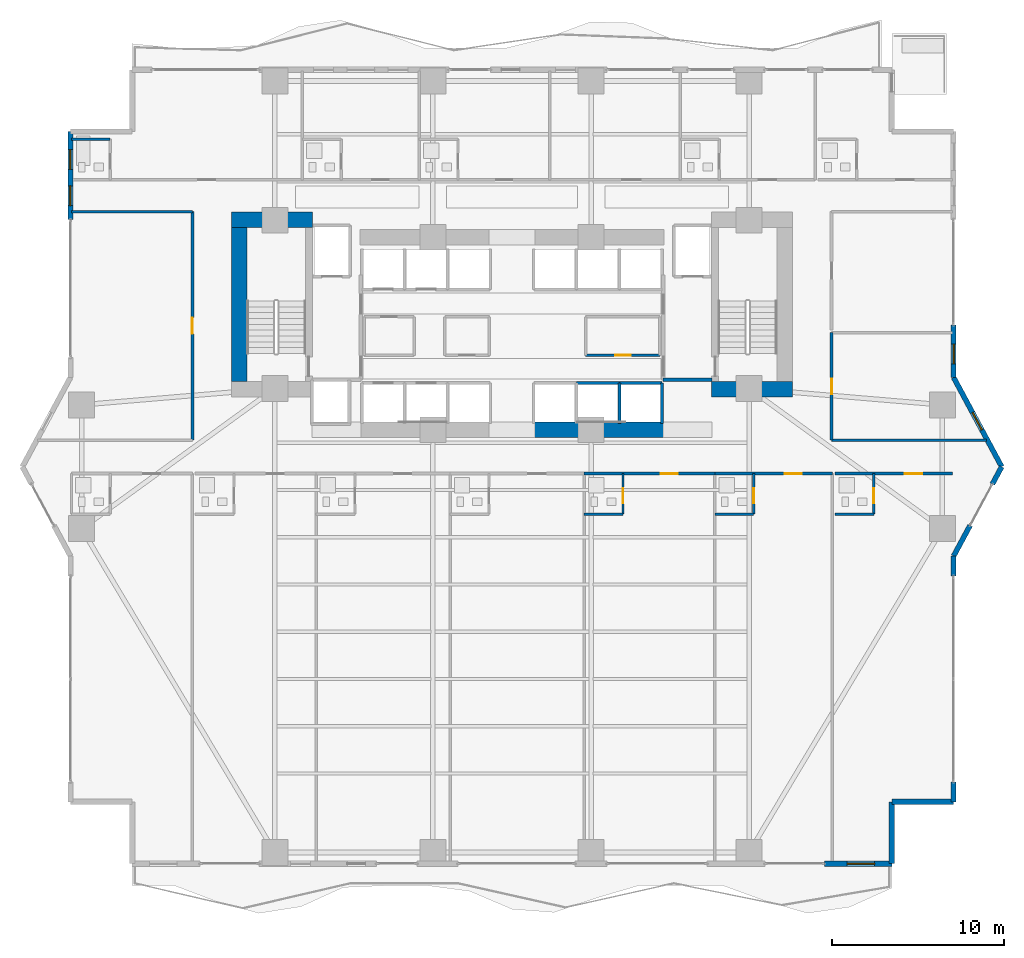
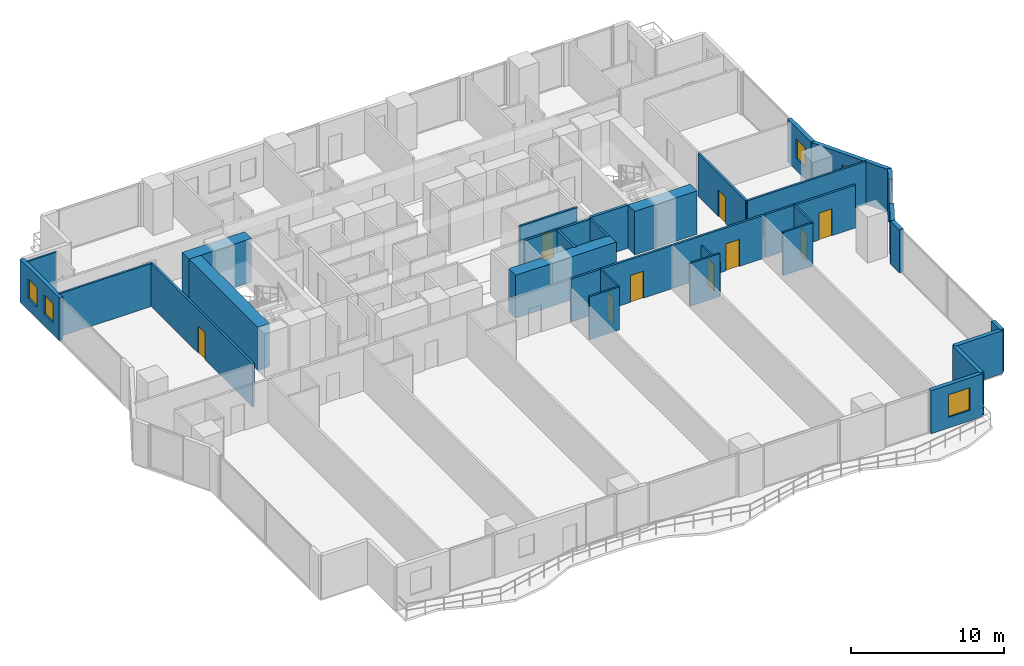
# One storey, part 20 of 28: 34 walls, 9 doors, 5 windows, 14 openings.
"""IFC4 building model written with IfcOpenShell, lengths in metres."""

from ifc_helpers import new_model, si_unit, direction, frame, frame_2d, origin, place, context, subcontext, project, spatial, rectangle, extrude, material, layer, layer_set, type_object, element, fill, save


model = new_model("IFC4")

# Units and contexts
model_context = context("Model", 3, precision=1e-05, world=origin(), true_north=direction((0.0, 1.0)))
body_context = subcontext(model_context, "Body", "Model", "MODEL_VIEW")
ifc_project = project(units=[si_unit("LENGTHUNIT", "METRE"), si_unit("AREAUNIT", "SQUARE_METRE"), si_unit("VOLUMEUNIT", "CUBIC_METRE"), si_unit("PLANEANGLEUNIT", "RADIAN"), si_unit("MASSUNIT", "GRAM", prefix="KILO")], contexts=[model_context])

# Site, building, storey
site_placement = place(None, origin())
site = spatial("IfcSite", under=ifc_project, at=site_placement, CompositionType="ELEMENT")
building_placement = place(site_placement, origin())
building = spatial("IfcBuilding", under=site, at=building_placement, Name="Zuhayl Quay Hotel", CompositionType="ELEMENT")
storey_placement = place(building_placement, frame((0.0, 0.0, 56.800048828125)))
storey = spatial("IfcBuildingStorey", under=building, at=storey_placement, Name="L13", CompositionType="ELEMENT", Elevation=56.800048828125)

# Walls
ifc_material_1 = material(Name="Concrete C70/85", Category="concrete")
ifc_layer_1 = layer(ifc_material_1, 0.89990234375, Name="Concrete C70/85", Category="concrete")
ifc_layer_set_1 = layer_set([ifc_layer_1], Name="Concrete C70/85")
wall_type_1 = type_object("IfcWallType", Name="WL_CORE_900", PredefinedType="SHEAR", material=ifc_layer_set_1)
wall_1_placement = place(storey_placement, frame((-16.31005859375, 14.3798828125, 0.0), z_axis=(0.0, 0.0, 1.0), x_axis=(1.0, 0.0, 0.0)))
element("IfcWall", 1, at=wall_1_placement, inside=storey, type_object=wall_type_1, Name="L13 Core Shear Wall CW_NW", PredefinedType="SHEAR", context=body_context, shape_type="SweptSolid", body=[
    extrude(rectangle(XDim=4.7099609375, YDim=0.89990234375, at=frame_2d((2.35498046875, 0.0))), origin(), (0.0, 0.0, 1.0), 3.4599609375),
])
wall_2_placement = place(storey_placement, frame((-15.860107421875, 4.969970703125, 0.0), z_axis=(0.0, 0.0, 1.0), x_axis=(0.0, 1.0, 0.0)))
element("IfcWall", 2, at=wall_2_placement, inside=storey, type_object=wall_type_1, Name="L13 Core Shear Wall CW_W", PredefinedType="SHEAR", context=body_context, shape_type="SweptSolid", body=[
    extrude(rectangle(XDim=8.9599609375, YDim=0.89990234375, at=frame_2d((4.47998046875, 0.0))), origin(), (0.0, 0.0, 1.0), 3.4599609375),
])
wall_3_placement = place(storey_placement, frame((11.60009765625, 4.52001953125, 0.0), z_axis=(0.0, 0.0, 1.0), x_axis=(1.0, 0.0, 0.0)))
element("IfcWall", 3, at=wall_3_placement, inside=storey, type_object=wall_type_1, Name="L13 Core Shear Wall CW_SE", PredefinedType="SHEAR", context=body_context, shape_type="SweptSolid", body=[
    extrude(rectangle(XDim=4.7099609375, YDim=0.89990234375, at=frame_2d((2.35498046875, 0.0))), origin(), (0.0, 0.0, 1.0), 3.4599609375),
])
wall_4_placement = place(storey_placement, frame((1.25, 2.14990234375, 0.0), z_axis=(0.0, 0.0, 1.0), x_axis=(1.0, 0.0, 0.0)))
element("IfcWall", 4, at=wall_4_placement, inside=storey, type_object=wall_type_1, Name="L13 Core Shear Wall CW_SC_E", PredefinedType="SHEAR", context=body_context, shape_type="SweptSolid", body=[
    extrude(rectangle(XDim=7.60009765625, YDim=0.89990234375, at=frame_2d((3.800048828125, 0.0))), origin(), (0.0, 0.0, 1.0), 3.429931640625),
])

# Wall, openings, windows
ifc_material_2 = material(Name="Precast concrete C45/55", Category="concrete")
ifc_layer_2 = layer(ifc_material_2, 0.300048828125, Name="Precast concrete C45/55", Category="concrete")
ifc_layer_set_2 = layer_set([ifc_layer_2], Name="Precast concrete C45/55")
wall_type_2 = type_object("IfcWallType", Name="WL_EXT_300", PredefinedType="STANDARD", material=ifc_layer_set_2)
wall_5_placement = place(storey_placement, frame((-25.699951171875, 14.39990234375, 0.0), z_axis=(0.0, 0.0, 1.0), x_axis=(0.0, 1.0, 0.0)))
wall_5 = element("IfcWall", 5, at=wall_5_placement, inside=storey, type_object=wall_type_2, Name="L13 Exterior Precast Wall ENV_L13_E05_EW2", PredefinedType="STANDARD", context=body_context, shape_type="SweptSolid", body=[
    extrude(rectangle(XDim=5.10009765625, YDim=0.300048828125, at=frame_2d((2.550048828125, 0.0))), origin(), (0.0, 0.0, 1.0), 3.429931640625),
])
opening_1_placement = place(wall_5_placement, frame((0.800048828125, 0.0, 0.949951171875)))
opening_1 = element("IfcOpeningElement", 6, at=opening_1_placement, cuts=wall_5, Name="Opening W01N", PredefinedType="OPENING", context=body_context, shape_type="SweptSolid", body=[
    extrude(rectangle(XDim=1.14990234375, YDim=1.550048828125, at=frame_2d((0.574951171875, 0.77490234375))), frame((0.0, 0.159912109375, 0.0), z_axis=(0.0, -1.0, 0.0), x_axis=(1.0, 0.0, 0.0)), (0.0, 0.0, 1.0), 0.320068359375),
])
opening_2_placement = place(wall_5_placement, frame((2.905029296875, 0.0, 0.949951171875)))
opening_2 = element("IfcOpeningElement", 7, at=opening_2_placement, cuts=wall_5, Name="Opening W01N", PredefinedType="OPENING", context=body_context, shape_type="SweptSolid", body=[
    extrude(rectangle(XDim=1.14990234375, YDim=1.550048828125, at=frame_2d((0.574951171875, 0.77490234375))), frame((0.0, 0.159912109375, 0.0), z_axis=(0.0, -1.0, 0.0), x_axis=(1.0, 0.0, 0.0)), (0.0, 0.0, 1.0), 0.320068359375),
])
ifc_material_3 = material(Name="Dark Ceramic-Fritted Solar Glass", Category="glass")
window_type_1 = type_object("IfcWindowType", Name="WN_NOTCH_1350", PartitioningType="SINGLE_PANEL", PredefinedType="WINDOW", material=ifc_material_3)
window_1_placement = place(opening_1_placement, origin())
window_1 = element("IfcWindow", 8, at=window_1_placement, inside=storey, type_object=window_type_1, Name="L13 Operable Facade Window 2-1", OverallHeight=1.550048828125, OverallWidth=1.14990234375, PartitioningType="SINGLE_PANEL", PredefinedType="WINDOW", context=body_context, shape_type="SweptSolid", body=[
    extrude(rectangle(XDim=1.14990234375, YDim=1.550048828125, at=frame_2d((0.574951171875, 0.77490234375))), frame((0.0, 0.030029296875, 0.0), z_axis=(0.0, -1.0, 0.0), x_axis=(1.0, 0.0, 0.0)), (0.0, 0.0, 1.0), 0.06005859375),
])
fill(opening_1, window_1)
window_2_placement = place(opening_2_placement, origin())
window_2 = element("IfcWindow", 9, at=window_2_placement, inside=storey, type_object=window_type_1, Name="L13 Operable Facade Window 2-2", OverallHeight=1.550048828125, OverallWidth=1.14990234375, PartitioningType="SINGLE_PANEL", PredefinedType="WINDOW", context=body_context, shape_type="SweptSolid", body=[
    extrude(rectangle(XDim=1.14990234375, YDim=1.550048828125, at=frame_2d((0.574951171875, 0.77490234375))), frame((0.0, 0.030029296875, 0.0), z_axis=(0.0, -1.0, 0.0), x_axis=(1.0, 0.0, 0.0)), (0.0, 0.0, 1.0), 0.06005859375),
])
fill(opening_2, window_2)

# Wall, opening, window
wall_6_placement = place(storey_placement, frame((25.699951171875, 8.25, 0.0), z_axis=(0.0, 0.0, 1.0), x_axis=(0.0, -1.0, 0.0)))
wall_6 = element("IfcWall", 10, at=wall_6_placement, inside=storey, type_object=wall_type_2, Name="L13 Exterior Precast Wall ENV_L13_E11_EW2", PredefinedType="STANDARD", context=body_context, shape_type="SweptSolid", body=[
    extrude(rectangle(XDim=3.050048828125, YDim=0.300048828125, at=frame_2d((1.52490234375, 0.0))), origin(), (0.0, 0.0, 1.0), 3.429931640625),
])
opening_3_placement = place(wall_6_placement, frame((1.114990234375, 0.0, 0.949951171875)))
opening_3 = element("IfcOpeningElement", 11, at=opening_3_placement, cuts=wall_6, Name="Opening W01N", PredefinedType="OPENING", context=body_context, shape_type="SweptSolid", body=[
    extrude(rectangle(XDim=1.14990234375, YDim=1.550048828125, at=frame_2d((0.574951171875, 0.77490234375))), frame((0.0, 0.159912109375, 0.0), z_axis=(0.0, -1.0, 0.0), x_axis=(1.0, 0.0, 0.0)), (0.0, 0.0, 1.0), 0.320068359375),
])
window_3_placement = place(opening_3_placement, origin())
window_3 = element("IfcWindow", 12, at=window_3_placement, inside=storey, type_object=window_type_1, Name="L13 Operable Facade Window 2-1", OverallHeight=1.550048828125, OverallWidth=1.14990234375, PartitioningType="SINGLE_PANEL", PredefinedType="WINDOW", context=body_context, shape_type="SweptSolid", body=[
    extrude(rectangle(XDim=1.14990234375, YDim=1.550048828125, at=frame_2d((0.574951171875, 0.77490234375))), frame((0.0, 0.030029296875, 0.0), z_axis=(0.0, -1.0, 0.0), x_axis=(1.0, 0.0, 0.0)), (0.0, 0.0, 1.0), 0.06005859375),
])
fill(opening_3, window_3)

wall_7_placement = place(storey_placement, frame((25.699951171875, 5.199951171875, 0.0), z_axis=(0.0, 0.0, 1.0), x_axis=(0.474109683532, -0.880465790352, 0.0)))
wall_7 = element("IfcWall", 13, at=wall_7_placement, inside=storey, type_object=wall_type_2, Name="L13 Exterior Precast Wall ENV_L13_E12_EW1", PredefinedType="STANDARD", context=body_context, shape_type="SweptSolid", body=[
    extrude(rectangle(XDim=5.906005859375, YDim=0.300048828125, at=frame_2d((2.953125, 0.0))), origin(), (0.0, 0.0, 1.0), 3.429931640625),
])
opening_4_placement = place(wall_7_placement, frame((2.32373046875, 0.0, 0.949951171875)))
opening_4 = element("IfcOpeningElement", 14, at=opening_4_placement, cuts=wall_7, Name="Opening W01N", PredefinedType="OPENING", context=body_context, shape_type="SweptSolid", body=[
    extrude(rectangle(XDim=1.14990234375, YDim=1.550048828125, at=frame_2d((0.574951171875, 0.77490234375))), frame((0.0, 0.159912109375, 0.0), z_axis=(0.0, -1.0, 0.0), x_axis=(1.0, 0.0, 0.0)), (0.0, 0.0, 1.0), 0.320068359375),
])
window_4_placement = place(opening_4_placement, origin())
window_4 = element("IfcWindow", 15, at=window_4_placement, inside=storey, type_object=window_type_1, Name="L13 Operable Facade Window 1-1", OverallHeight=1.550048828125, OverallWidth=1.14990234375, PartitioningType="SINGLE_PANEL", PredefinedType="WINDOW", context=body_context, shape_type="SweptSolid", body=[
    extrude(rectangle(XDim=1.14990234375, YDim=1.550048828125, at=frame_2d((0.574951171875, 0.77490234375))), frame((0.0, 0.030029296875, 0.0), z_axis=(0.0, -1.0, 0.0), x_axis=(1.0, 0.0, 0.0)), (0.0, 0.0, 1.0), 0.06005859375),
])
fill(opening_4, window_4)

# Walls
wall_8_placement = place(storey_placement, frame((28.5, 0.0, 0.0), z_axis=(0.0, 0.0, 1.0), x_axis=(-0.474099823035, -0.880471099922, 0.0)))
element("IfcWall", 16, at=wall_8_placement, inside=storey, type_object=wall_type_2, Name="L13 Exterior Precast Wall ENV_L13_E13_EW1", PredefinedType="STANDARD", context=body_context, shape_type="SweptSolid", body=[
    extrude(rectangle(XDim=1.14990234375, YDim=0.300048828125, at=frame_2d((0.574951171875, 0.0))), origin(), (0.0, 0.0, 1.0), 3.429931640625),
])
wall_9_placement = place(storey_placement, frame((26.657958984375, -3.4208984375, 0.0), z_axis=(0.0, 0.0, 1.0), x_axis=(-0.474121438562, -0.88045946045, 0.0)))
element("IfcWall", 17, at=wall_9_placement, inside=storey, type_object=wall_type_2, Name="L13 Exterior Precast Wall ENV_L13_E13_EW2", PredefinedType="STANDARD", context=body_context, shape_type="SweptSolid", body=[
    extrude(rectangle(XDim=2.0205078125, YDim=0.300048828125, at=frame_2d((1.01025390625, 0.0))), origin(), (0.0, 0.0, 1.0), 3.429931640625),
])
wall_10_placement = place(storey_placement, frame((25.699951171875, -5.199951171875, 0.0), z_axis=(0.0, 0.0, 1.0), x_axis=(0.0, -1.0, 0.0)))
element("IfcWall", 18, at=wall_10_placement, inside=storey, type_object=wall_type_2, Name="L13 Exterior Precast Wall ENV_L13_E14_EW1", PredefinedType="STANDARD", context=body_context, shape_type="SweptSolid", body=[
    extrude(rectangle(XDim=1.150146484375, YDim=0.300048828125, at=frame_2d((0.5751953125, 0.0))), origin(), (0.0, 0.0, 1.0), 3.429931640625),
])
wall_11_placement = place(storey_placement, frame((25.699951171875, -18.35009765625, 0.0), z_axis=(0.0, 0.0, 1.0), x_axis=(0.0, -1.0, 0.0)))
element("IfcWall", 19, at=wall_11_placement, inside=storey, type_object=wall_type_2, Name="L13 Exterior Precast Wall ENV_L13_E14_EW2", PredefinedType="STANDARD", context=body_context, shape_type="SweptSolid", body=[
    extrude(rectangle(XDim=1.14990234375, YDim=0.300048828125, at=frame_2d((0.574951171875, 0.0))), origin(), (0.0, 0.0, 1.0), 3.429931640625),
])
wall_12_placement = place(storey_placement, frame((25.699951171875, -19.5, 0.0), z_axis=(0.0, 0.0, 1.0), x_axis=(-1.0, 0.0, 0.0)))
element("IfcWall", 20, at=wall_12_placement, inside=storey, type_object=wall_type_2, Name="L13 Exterior Precast Wall ENV_L13_EW15", PredefinedType="STANDARD", context=body_context, shape_type="SweptSolid", body=[
    extrude(rectangle(XDim=3.599853515625, YDim=0.300048828125, at=frame_2d((1.7998046875, 0.0))), origin(), (0.0, 0.0, 1.0), 3.429931640625),
])
wall_13_placement = place(storey_placement, frame((22.10009765625, -19.5, 0.0), z_axis=(0.0, 0.0, 1.0), x_axis=(0.0, -1.0, 0.0)))
element("IfcWall", 21, at=wall_13_placement, inside=storey, type_object=wall_type_2, Name="L13 Exterior Precast Wall ENV_L13_EW16", PredefinedType="STANDARD", context=body_context, shape_type="SweptSolid", body=[
    extrude(rectangle(XDim=3.60009765625, YDim=0.300048828125, at=frame_2d((1.800048828125, 0.0))), origin(), (0.0, 0.0, 1.0), 3.429931640625),
])

# Wall, opening, window
wall_14_placement = place(storey_placement, frame((22.10009765625, -23.10009765625, 0.0), z_axis=(0.0, 0.0, 1.0), x_axis=(-1.0, 0.0, 0.0)))
wall_14 = element("IfcWall", 22, at=wall_14_placement, inside=storey, type_object=wall_type_2, Name="L13 Exterior Precast Wall ENV_L13_S_EW1", PredefinedType="STANDARD", context=body_context, shape_type="SweptSolid", body=[
    extrude(rectangle(XDim=3.91015625, YDim=0.300048828125, at=frame_2d((1.955078125, 0.0))), origin(), (0.0, 0.0, 1.0), 3.429931640625),
])
opening_5_placement = place(wall_14_placement, frame((0.989990234375, 0.0, 0.85009765625)))
opening_5 = element("IfcOpeningElement", 23, at=opening_5_placement, cuts=wall_14, Name="Opening W01", PredefinedType="OPENING", context=body_context, shape_type="SweptSolid", body=[
    extrude(rectangle(XDim=1.60009765625, YDim=1.800048828125, at=frame_2d((0.800048828125, 0.89990234375))), frame((0.0, 0.159912109375, 0.0), z_axis=(0.0, -1.0, 0.0), x_axis=(1.0, 0.0, 0.0)), (0.0, 0.0, 1.0), 0.320068359375),
])
window_type_2 = type_object("IfcWindowType", Name="WN_OPERABLE_1600", PartitioningType="DOUBLE_PANEL_VERTICAL", PredefinedType="WINDOW", material=ifc_material_3)
window_5_placement = place(opening_5_placement, origin())
window_5 = element("IfcWindow", 24, at=window_5_placement, inside=storey, type_object=window_type_2, Name="L13 Operable Facade Window 1-1", OverallHeight=1.800048828125, OverallWidth=1.60009765625, PartitioningType="SINGLE_PANEL", PredefinedType="WINDOW", context=body_context, shape_type="SweptSolid", body=[
    extrude(rectangle(XDim=1.60009765625, YDim=1.800048828125, at=frame_2d((0.800048828125, 0.89990234375))), frame((0.0, 0.030029296875, 0.0), z_axis=(0.0, -1.0, 0.0), x_axis=(1.0, 0.0, 0.0)), (0.0, 0.0, 1.0), 0.06005859375),
])
fill(opening_5, window_5)

# Wall, opening, door
ifc_material_4 = material(Name="Acoustic Gypsum Partition STC-58")
ifc_layer_3 = layer(ifc_material_4, 0.14990234375, Name="Acoustic Gypsum Partition STC-58")
ifc_layer_set_3 = layer_set([ifc_layer_3], Name="Acoustic Gypsum Partition STC-58")
wall_type_3 = type_object("IfcWallType", Name="WL_PART_150", PredefinedType="PARTITIONING", material=ifc_layer_set_3)
wall_15_placement = place(storey_placement, frame((4.2900390625, 6.47998046875, 0.0), z_axis=(0.0, 0.0, 1.0), x_axis=(1.0, 0.0, 0.0)))
wall_15 = element("IfcWall", 25, at=wall_15_placement, inside=storey, type_object=wall_type_3, Name="L13 Partition IW_L13_CORE_VL_S", PredefinedType="PARTITIONING", context=body_context, shape_type="SweptSolid", body=[
    extrude(rectangle(XDim=4.320068359375, YDim=0.14990234375, at=frame_2d((2.16015625, 0.0))), origin(), (0.0, 0.0, 1.0), 3.429931640625),
])
opening_6_placement = place(wall_15_placement, frame((1.7099609375, 0.0, 0.0)))
opening_6 = element("IfcOpeningElement", 26, at=opening_6_placement, cuts=wall_15, Name="Opening D06", PredefinedType="OPENING", context=body_context, shape_type="SweptSolid", body=[
    extrude(rectangle(XDim=0.89990234375, YDim=2.14990234375, at=frame_2d((0.449951171875, 1.074951171875))), frame((0.0, 0.0849609375, 0.0), z_axis=(0.0, -1.0, 0.0), x_axis=(1.0, 0.0, 0.0)), (0.0, 0.0, 1.0), 0.169921875),
])
ifc_material_5 = material(Name="Steel ASTM A992 Grade 50", Category="steel")
door_type_1 = type_object("IfcDoorType", Name="DR_INT_900", OperationType="NOTDEFINED", PredefinedType="DOOR", material=ifc_material_5)
door_1_placement = place(opening_6_placement, origin())
door_1 = element("IfcDoor", 27, at=door_1_placement, inside=storey, type_object=door_type_1, Name="L13 Floor Valet Store Door", OperationType="SINGLE_SWING_LEFT", OverallHeight=2.14990234375, OverallWidth=0.89990234375, PredefinedType="DOOR", context=body_context, shape_type="SweptSolid", body=[
    extrude(rectangle(XDim=0.89990234375, YDim=2.14990234375, at=frame_2d((0.449951171875, 1.074951171875))), frame((0.0, 0.02490234375, 0.0), z_axis=(0.0, -1.0, 0.0), x_axis=(1.0, 0.0, 0.0)), (0.0, 0.0, 1.0), 0.050048828125),
])
fill(opening_6, door_1)

# Walls
wall_16_placement = place(storey_placement, frame((18.60009765625, 1.550048828125, 0.0), z_axis=(0.0, 0.0, 1.0), x_axis=(1.0, 0.0, 0.0)))
element("IfcWall", 28, at=wall_16_placement, inside=storey, type_object=wall_type_3, Name="L13 Partition IW_L13_HK_MAIN_S", PredefinedType="PARTITIONING", context=body_context, shape_type="SweptSolid", body=[
    extrude(rectangle(XDim=9.00537109375, YDim=0.14990234375, at=frame_2d((4.502685546875, 0.0))), origin(), (0.0, 0.0, 1.0), 3.429931640625),
])
wall_17_placement = place(storey_placement, frame((-25.639892578125, 14.85009765625, 0.0), z_axis=(0.0, 0.0, 1.0), x_axis=(1.0, 0.0, 0.0)))
element("IfcWall", 29, at=wall_17_placement, inside=storey, type_object=wall_type_3, Name="L13 Partition IW_L13_WPROW_1_N", PredefinedType="PARTITIONING", context=body_context, shape_type="SweptSolid", body=[
    extrude(rectangle(XDim=7.039794921875, YDim=0.14990234375, at=frame_2d((3.52001953125, 0.0))), origin(), (0.0, 0.0, 1.0), 3.429931640625),
])

# Wall, opening, door
ifc_layer_4 = layer(ifc_material_4, 0.159912109375, Name="Acoustic Gypsum Partition STC-58")
ifc_layer_set_4 = layer_set([ifc_layer_4], Name="Acoustic Gypsum Partition STC-58")
wall_type_4 = type_object("IfcWallType", Name="WL_PART_CORR_160", PredefinedType="PARTITIONING", material=ifc_layer_set_4)
wall_18_placement = place(storey_placement, frame((4.199951171875, -0.39990234375, 0.0), z_axis=(0.0, 0.0, 1.0), x_axis=(1.0, 0.0, 0.0)))
wall_18 = element("IfcWall", 30, at=wall_18_placement, inside=storey, type_object=wall_type_4, Name="L13 Partition IW_L13_SU04_COR", PredefinedType="PARTITIONING", context=body_context, shape_type="SweptSolid", body=[
    extrude(rectangle(XDim=7.60009765625, YDim=0.159912109375, at=frame_2d((3.800048828125, 0.0))), origin(), (0.0, 0.0, 1.0), 3.429931640625),
])
opening_7_placement = place(wall_18_placement, frame((4.449951171875, 0.0, 0.0)))
opening_7 = element("IfcOpeningElement", 31, at=opening_7_placement, cuts=wall_18, Name="Opening D03L", PredefinedType="OPENING", context=body_context, shape_type="SweptSolid", body=[
    extrude(rectangle(XDim=1.0, YDim=2.14990234375, at=frame_2d((0.5, 1.074951171875))), frame((0.0, 0.08984375, 0.0), z_axis=(0.0, -1.0, 0.0), x_axis=(1.0, 0.0, 0.0)), (0.0, 0.0, 1.0), 0.179931640625),
])
ifc_material_6 = material(Name="Solid Walnut Acoustic Fire Door")
door_type_2 = type_object("IfcDoorType", Name="DR_SUITE_1000", OperationType="NOTDEFINED", PredefinedType="DOOR", material=ifc_material_6)
door_2_placement = place(opening_7_placement, origin())
door_2 = element("IfcDoor", 32, at=door_2_placement, inside=storey, type_object=door_type_2, Name="L13 City-View Junior Suite L13-04 Entrance Door", OperationType="SINGLE_SWING_RIGHT", OverallHeight=2.14990234375, OverallWidth=1.0, PredefinedType="DOOR", context=body_context, shape_type="SweptSolid", body=[
    extrude(rectangle(XDim=1.0, YDim=2.14990234375, at=frame_2d((0.5, 1.074951171875))), frame((0.0, 0.02490234375, 0.0), z_axis=(0.0, -1.0, 0.0), x_axis=(1.0, 0.0, 0.0)), (0.0, 0.0, 1.0), 0.050048828125),
])
fill(opening_7, door_2)

wall_19_placement = place(storey_placement, frame((11.800048828125, -0.39990234375, 0.0), z_axis=(0.0, 0.0, 1.0), x_axis=(1.0, 0.0, 0.0)))
wall_19 = element("IfcWall", 33, at=wall_19_placement, inside=storey, type_object=wall_type_4, Name="L13 Partition IW_L13_SU05A_COR", PredefinedType="PARTITIONING", context=body_context, shape_type="SweptSolid", body=[
    extrude(rectangle(XDim=6.83984375, YDim=0.159912109375, at=frame_2d((3.419921875, 0.0))), origin(), (0.0, 0.0, 1.0), 3.429931640625),
])
opening_8_placement = place(wall_19_placement, frame((4.070068359375, 0.0, 0.0)))
opening_8 = element("IfcOpeningElement", 34, at=opening_8_placement, cuts=wall_19, Name="Opening D03L", PredefinedType="OPENING", context=body_context, shape_type="SweptSolid", body=[
    extrude(rectangle(XDim=1.0, YDim=2.14990234375, at=frame_2d((0.5, 1.074951171875))), frame((0.0, 0.08984375, 0.0), z_axis=(0.0, -1.0, 0.0), x_axis=(1.0, 0.0, 0.0)), (0.0, 0.0, 1.0), 0.179931640625),
])
door_3_placement = place(opening_8_placement, origin())
door_3 = element("IfcDoor", 35, at=door_3_placement, inside=storey, type_object=door_type_2, Name="L13 Premier Twin Junior Suite L13-05A Entrance Door", OperationType="SINGLE_SWING_RIGHT", OverallHeight=2.14990234375, OverallWidth=1.0, PredefinedType="DOOR", context=body_context, shape_type="SweptSolid", body=[
    extrude(rectangle(XDim=1.0, YDim=2.14990234375, at=frame_2d((0.5, 1.074951171875))), frame((0.0, 0.02490234375, 0.0), z_axis=(0.0, -1.0, 0.0), x_axis=(1.0, 0.0, 0.0)), (0.0, 0.0, 1.0), 0.050048828125),
])
fill(opening_8, door_3)

wall_20_placement = place(storey_placement, frame((18.800048828125, -0.39990234375, 0.0), z_axis=(0.0, 0.0, 1.0), x_axis=(1.0, 0.0, 0.0)))
wall_20 = element("IfcWall", 36, at=wall_20_placement, inside=storey, type_object=wall_type_4, Name="L13 Partition IW_L13_SU05B_COR", PredefinedType="PARTITIONING", context=body_context, shape_type="SweptSolid", body=[
    extrude(rectangle(XDim=6.83984375, YDim=0.159912109375, at=frame_2d((3.419921875, 0.0))), origin(), (0.0, 0.0, 1.0), 3.429931640625),
])
opening_9_placement = place(wall_20_placement, frame((4.070068359375, 0.0, 0.0)))
opening_9 = element("IfcOpeningElement", 37, at=opening_9_placement, cuts=wall_20, Name="Opening D03L", PredefinedType="OPENING", context=body_context, shape_type="SweptSolid", body=[
    extrude(rectangle(XDim=1.0, YDim=2.14990234375, at=frame_2d((0.5, 1.074951171875))), frame((0.0, 0.08984375, 0.0), z_axis=(0.0, -1.0, 0.0), x_axis=(1.0, 0.0, 0.0)), (0.0, 0.0, 1.0), 0.179931640625),
])
door_4_placement = place(opening_9_placement, origin())
door_4 = element("IfcDoor", 38, at=door_4_placement, inside=storey, type_object=door_type_2, Name="L13 Premier Twin Junior Suite L13-05B Entrance Door", OperationType="SINGLE_SWING_RIGHT", OverallHeight=2.14990234375, OverallWidth=1.0, PredefinedType="DOOR", context=body_context, shape_type="SweptSolid", body=[
    extrude(rectangle(XDim=1.0, YDim=2.14990234375, at=frame_2d((0.5, 1.074951171875))), frame((0.0, 0.02490234375, 0.0), z_axis=(0.0, -1.0, 0.0), x_axis=(1.0, 0.0, 0.0)), (0.0, 0.0, 1.0), 0.050048828125),
])
fill(opening_9, door_4)

wall_21_placement = place(storey_placement, frame((18.60009765625, 1.550048828125, 0.0), z_axis=(0.0, 0.0, 1.0), x_axis=(0.0, 1.0, 0.0)))
wall_21 = element("IfcWall", 39, at=wall_21_placement, inside=storey, type_object=wall_type_4, Name="L13 Partition IW_L13_HK_MAIN_W", PredefinedType="PARTITIONING", context=body_context, shape_type="SweptSolid", body=[
    extrude(rectangle(XDim=6.25, YDim=0.159912109375, at=frame_2d((3.125, 0.0))), origin(), (0.0, 0.0, 1.0), 3.429931640625),
])
opening_10_placement = place(wall_21_placement, frame((2.6650390625, 0.0, 0.0)))
opening_10 = element("IfcOpeningElement", 40, at=opening_10_placement, cuts=wall_21, Name="Opening D05", PredefinedType="OPENING", context=body_context, shape_type="SweptSolid", body=[
    extrude(rectangle(XDim=0.919921875, YDim=2.1201171875, at=frame_2d((0.4599609375, 1.06005859375))), frame((0.0, 0.08984375, 0.0), z_axis=(0.0, -1.0, 0.0), x_axis=(1.0, 0.0, 0.0)), (0.0, 0.0, 1.0), 0.179931640625),
])
door_type_3 = type_object("IfcDoorType", Name="DR_INT_950", OperationType="NOTDEFINED", PredefinedType="DOOR", material=ifc_material_6)
door_5_placement = place(opening_10_placement, origin())
door_5 = element("IfcDoor", 41, at=door_5_placement, inside=storey, type_object=door_type_3, Name="L13 Housekeeping and Linen Room Door", OperationType="SINGLE_SWING_LEFT", OverallHeight=2.1201171875, OverallWidth=0.919921875, PredefinedType="DOOR", context=body_context, shape_type="SweptSolid", body=[
    extrude(rectangle(XDim=0.919921875, YDim=2.1201171875, at=frame_2d((0.4599609375, 1.06005859375))), frame((0.0, 0.02490234375, 0.0), z_axis=(0.0, -1.0, 0.0), x_axis=(1.0, 0.0, 0.0)), (0.0, 0.0, 1.0), 0.050048828125),
])
fill(opening_10, door_5)

wall_22_placement = place(storey_placement, frame((-18.60009765625, 1.550048828125, 0.0), z_axis=(0.0, 0.0, 1.0), x_axis=(0.0, 1.0, 0.0)))
wall_22 = element("IfcWall", 42, at=wall_22_placement, inside=storey, type_object=wall_type_4, Name="L13 Partition IW_L13_WPROW_1_E", PredefinedType="PARTITIONING", context=body_context, shape_type="SweptSolid", body=[
    extrude(rectangle(XDim=13.300048828125, YDim=0.159912109375, at=frame_2d((6.64990234375, 0.0))), origin(), (0.0, 0.0, 1.0), 3.429931640625),
])
opening_11_placement = place(wall_22_placement, frame((6.175048828125, 0.0, 0.0)))
opening_11 = element("IfcOpeningElement", 43, at=opening_11_placement, cuts=wall_22, Name="Opening D03", PredefinedType="OPENING", context=body_context, shape_type="SweptSolid", body=[
    extrude(rectangle(XDim=0.949951171875, YDim=2.14990234375, at=frame_2d((0.47509765625, 1.074951171875))), frame((0.0, 0.08984375, 0.0), z_axis=(0.0, -1.0, 0.0), x_axis=(1.0, 0.0, 0.0)), (0.0, 0.0, 1.0), 0.179931640625),
])
door_type_4 = type_object("IfcDoorType", Name="DR_SUITE_950", OperationType="NOTDEFINED", PredefinedType="DOOR", material=ifc_material_6)
door_6_placement = place(opening_11_placement, origin())
door_6 = element("IfcDoor", 44, at=door_6_placement, inside=storey, type_object=door_type_4, Name="L13 West Prow Panoramic Salon L13 Door", OperationType="SINGLE_SWING_LEFT", OverallHeight=2.14990234375, OverallWidth=0.949951171875, PredefinedType="DOOR", context=body_context, shape_type="SweptSolid", body=[
    extrude(rectangle(XDim=0.949951171875, YDim=2.14990234375, at=frame_2d((0.47509765625, 1.074951171875))), frame((0.0, 0.02490234375, 0.0), z_axis=(0.0, -1.0, 0.0), x_axis=(1.0, 0.0, 0.0)), (0.0, 0.0, 1.0), 0.050048828125),
])
fill(opening_11, door_6)

ifc_material_7 = material(Name="Moisture-Resistant Sanitarychase Gypsum")
ifc_layer_5 = layer(ifc_material_7, 0.135009765625, Name="Moisture-Resistant Sanitarychase Gypsum")
ifc_layer_set_5 = layer_set([ifc_layer_5], Name="Moisture-Resistant Sanitarychase Gypsum")
wall_type_5 = type_object("IfcWallType", Name="WL_PART_PLUMB_150", PredefinedType="PLUMBINGWALL", material=ifc_layer_set_5)
wall_23_placement = place(storey_placement, frame((6.4599609375, -2.760009765625, 0.0), z_axis=(0.0, 0.0, 1.0), x_axis=(0.0, 1.0, 0.0)))
wall_23 = element("IfcWall", 45, at=wall_23_placement, inside=storey, type_object=wall_type_5, Name="L13 Partition IW_L13_SU04_BE", PredefinedType="PLUMBINGWALL", context=body_context, shape_type="SweptSolid", body=[
    extrude(rectangle(XDim=2.360107421875, YDim=0.135009765625, at=frame_2d((1.18017578125, 0.0))), origin(), (0.0, 0.0, 1.0), 3.429931640625),
])
opening_12_placement = place(wall_23_placement, frame((0.64990234375, 0.0, 0.0)))
opening_12 = element("IfcOpeningElement", 46, at=opening_12_placement, cuts=wall_23, Name="Opening D04", PredefinedType="OPENING", context=body_context, shape_type="SweptSolid", body=[
    extrude(rectangle(XDim=0.85009765625, YDim=2.10009765625, at=frame_2d((0.425048828125, 1.050048828125))), frame((0.0, 0.077392578125, 0.0), z_axis=(0.0, -1.0, 0.0), x_axis=(1.0, 0.0, 0.0)), (0.0, 0.0, 1.0), 0.155029296875),
])
ifc_material_8 = material(Name="Moisture-Resistant Walnut Veneer")
door_type_5 = type_object("IfcDoorType", Name="DR_BATH_850", OperationType="NOTDEFINED", PredefinedType="DOOR", material=ifc_material_8)
door_7_placement = place(opening_12_placement, origin())
door_7 = element("IfcDoor", 47, at=door_7_placement, inside=storey, type_object=door_type_5, Name="L13 City-View Junior Suite L13-04 En-Suite Door", OperationType="SINGLE_SWING_LEFT", OverallHeight=2.10009765625, OverallWidth=0.85009765625, PredefinedType="DOOR", context=body_context, shape_type="SweptSolid", body=[
    extrude(rectangle(XDim=0.85009765625, YDim=2.10009765625, at=frame_2d((0.425048828125, 1.050048828125))), frame((0.0, 0.02490234375, 0.0), z_axis=(0.0, -1.0, 0.0), x_axis=(1.0, 0.0, 0.0)), (0.0, 0.0, 1.0), 0.050048828125),
])
fill(opening_12, door_7)

wall_24_placement = place(storey_placement, frame((14.06005859375, -2.760009765625, 0.0), z_axis=(0.0, 0.0, 1.0), x_axis=(0.0, 1.0, 0.0)))
wall_24 = element("IfcWall", 48, at=wall_24_placement, inside=storey, type_object=wall_type_5, Name="L13 Partition IW_L13_SU05A_BE", PredefinedType="PLUMBINGWALL", context=body_context, shape_type="SweptSolid", body=[
    extrude(rectangle(XDim=2.360107421875, YDim=0.135009765625, at=frame_2d((1.18017578125, 0.0))), origin(), (0.0, 0.0, 1.0), 2.66796875),
])
opening_13_placement = place(wall_24_placement, frame((0.64990234375, 0.0, 0.0)))
opening_13 = element("IfcOpeningElement", 49, at=opening_13_placement, cuts=wall_24, Name="Opening D04", PredefinedType="OPENING", context=body_context, shape_type="SweptSolid", body=[
    extrude(rectangle(XDim=0.85009765625, YDim=2.10009765625, at=frame_2d((0.425048828125, 1.050048828125))), frame((0.0, 0.077392578125, 0.0), z_axis=(0.0, -1.0, 0.0), x_axis=(1.0, 0.0, 0.0)), (0.0, 0.0, 1.0), 0.155029296875),
])
door_8_placement = place(opening_13_placement, origin())
door_8 = element("IfcDoor", 50, at=door_8_placement, inside=storey, type_object=door_type_5, Name="L13 Premier Twin Junior Suite L13-05A En-Suite Door", OperationType="SINGLE_SWING_LEFT", OverallHeight=2.10009765625, OverallWidth=0.85009765625, PredefinedType="DOOR", context=body_context, shape_type="SweptSolid", body=[
    extrude(rectangle(XDim=0.85009765625, YDim=2.10009765625, at=frame_2d((0.425048828125, 1.050048828125))), frame((0.0, 0.02490234375, 0.0), z_axis=(0.0, -1.0, 0.0), x_axis=(1.0, 0.0, 0.0)), (0.0, 0.0, 1.0), 0.050048828125),
])
fill(opening_13, door_8)

wall_25_placement = place(storey_placement, frame((21.06005859375, -2.760009765625, 0.0), z_axis=(0.0, 0.0, 1.0), x_axis=(0.0, 1.0, 0.0)))
wall_25 = element("IfcWall", 51, at=wall_25_placement, inside=storey, type_object=wall_type_5, Name="L13 Partition IW_L13_SU05B_BE", PredefinedType="PLUMBINGWALL", context=body_context, shape_type="SweptSolid", body=[
    extrude(rectangle(XDim=2.360107421875, YDim=0.135009765625, at=frame_2d((1.18017578125, 0.0))), origin(), (0.0, 0.0, 1.0), 3.429931640625),
])
opening_14_placement = place(wall_25_placement, frame((0.64990234375, 0.0, 0.0)))
opening_14 = element("IfcOpeningElement", 52, at=opening_14_placement, cuts=wall_25, Name="Opening D04", PredefinedType="OPENING", context=body_context, shape_type="SweptSolid", body=[
    extrude(rectangle(XDim=0.85009765625, YDim=2.10009765625, at=frame_2d((0.425048828125, 1.050048828125))), frame((0.0, 0.077392578125, 0.0), z_axis=(0.0, -1.0, 0.0), x_axis=(1.0, 0.0, 0.0)), (0.0, 0.0, 1.0), 0.155029296875),
])
door_9_placement = place(opening_14_placement, origin())
door_9 = element("IfcDoor", 53, at=door_9_placement, inside=storey, type_object=door_type_5, Name="L13 Premier Twin Junior Suite L13-05B En-Suite Door", OperationType="SINGLE_SWING_LEFT", OverallHeight=2.10009765625, OverallWidth=0.85009765625, PredefinedType="DOOR", context=body_context, shape_type="SweptSolid", body=[
    extrude(rectangle(XDim=0.85009765625, YDim=2.10009765625, at=frame_2d((0.425048828125, 1.050048828125))), frame((0.0, 0.02490234375, 0.0), z_axis=(0.0, -1.0, 0.0), x_axis=(1.0, 0.0, 0.0)), (0.0, 0.0, 1.0), 0.050048828125),
])
fill(opening_14, door_9)

# Walls
for number, where, z_axis, x_axis, name in (
    (54, (-25.639892578125, 19.06005859375, 0.0), (0.0, 0.0, 1.0), (1.0, 0.0, 0.0), "L13 Partition IW_L13_NU01_BN"),
    (55, (4.199951171875, -2.760009765625, 0.0), (0.0, 0.0, 1.0), (1.0, 0.0, 0.0), "L13 Partition IW_L13_SU04_BS"),
    (56, (11.800048828125, -2.760009765625, 0.0), (0.0, 0.0, 1.0), (1.0, 0.0, 0.0), "L13 Partition IW_L13_SU05A_BS"),
    (57, (18.800048828125, -2.760009765625, 0.0), (0.0, 0.0, 1.0), (1.0, 0.0, 0.0), "L13 Partition IW_L13_SU05B_BS"),
):
    element("IfcWall", number, at=place(storey_placement, frame(where, z_axis=z_axis, x_axis=x_axis)), inside=storey, type_object=wall_type_5, Name=name, PredefinedType="PLUMBINGWALL", context=body_context, shape_type="SweptSolid", body=[
        extrude(rectangle(XDim=2.260009765625, YDim=0.135009765625, at=frame_2d((1.1298828125, 0.0))), origin(), (0.0, 0.0, 1.0), 3.429931640625),
    ])
ifc_material_9 = material(Name="Gypsum Fireboard Assembly EI-90")
ifc_layer_6 = layer(ifc_material_9, 0.1650390625, Name="Gypsum Fireboard Assembly EI-90")
ifc_layer_set_6 = layer_set([ifc_layer_6], Name="Gypsum Fireboard Assembly EI-90")
wall_type_6 = type_object("IfcWallType", Name="WL_PART_SHAFT_160", PredefinedType="PARTITIONING", material=ifc_layer_set_6)
wall_26_placement = place(storey_placement, frame((3.75, 4.8798828125, 0.0), z_axis=(0.0, 0.0, 1.0), x_axis=(1.0, 0.0, 0.0)))
element("IfcWall", 58, at=wall_26_placement, inside=storey, type_object=wall_type_6, Name="L13 Partition IW_L13_SH_HP1_F", PredefinedType="PARTITIONING", context=body_context, shape_type="SweptSolid", body=[
    extrude(rectangle(XDim=2.5, YDim=0.1650390625, at=frame_2d((1.25, 0.0))), origin(), (0.0, 0.0, 1.0), 3.429931640625),
])
wall_27_placement = place(storey_placement, frame((6.25, 2.52001953125, 0.0), z_axis=(0.0, 0.0, 1.0), x_axis=(0.0, 1.0, 0.0)))
element("IfcWall", 59, at=wall_27_placement, inside=storey, type_object=wall_type_6, Name="L13 Partition IW_L13_SH_HP1_E", PredefinedType="PARTITIONING", context=body_context, shape_type="SweptSolid", body=[
    extrude(rectangle(XDim=2.35986328125, YDim=0.1650390625, at=frame_2d((1.179931640625, 0.0))), origin(), (0.0, 0.0, 1.0), 3.429931640625),
])
wall_28_placement = place(storey_placement, frame((6.25, 4.8798828125, 0.0), z_axis=(0.0, 0.0, 1.0), x_axis=(1.0, 0.0, 0.0)))
element("IfcWall", 60, at=wall_28_placement, inside=storey, type_object=wall_type_6, Name="L13 Partition IW_L13_SH_HP2_F", PredefinedType="PARTITIONING", context=body_context, shape_type="SweptSolid", body=[
    extrude(rectangle(XDim=2.47998046875, YDim=0.1650390625, at=frame_2d((1.239990234375, 0.0))), origin(), (0.0, 0.0, 1.0), 3.429931640625),
])
wall_29_placement = place(storey_placement, frame((8.72998046875, 2.52001953125, 0.0), z_axis=(0.0, 0.0, 1.0), x_axis=(0.0, 1.0, 0.0)))
element("IfcWall", 61, at=wall_29_placement, inside=storey, type_object=wall_type_6, Name="L13 Partition IW_L13_SH_HP2_E", PredefinedType="PARTITIONING", context=body_context, shape_type="SweptSolid", body=[
    extrude(rectangle(XDim=2.35986328125, YDim=0.1650390625, at=frame_2d((1.179931640625, 0.0))), origin(), (0.0, 0.0, 1.0), 3.429931640625),
])
ifc_material_10 = material(Name="Gypsum Fireboard Assembly EI-120")
ifc_layer_7 = layer(ifc_material_10, 0.199951171875, Name="Gypsum Fireboard Assembly EI-120")
ifc_layer_set_7 = layer_set([ifc_layer_7], Name="Gypsum Fireboard Assembly EI-120")
wall_type_7 = type_object("IfcWallType", Name="WL_PART_SHAFT_200", PredefinedType="PARTITIONING", material=ifc_layer_set_7)
wall_30_placement = place(storey_placement, frame((8.800048828125, 5.050048828125, 0.0), z_axis=(0.0, 0.0, 1.0), x_axis=(1.0, 0.0, 0.0)))
element("IfcWall", 62, at=wall_30_placement, inside=storey, type_object=wall_type_7, Name="L13 Partition IW_L13_FSAE_E_S", PredefinedType="PARTITIONING", context=body_context, shape_type="SweptSolid", body=[
    extrude(rectangle(XDim=2.849853515625, YDim=0.199951171875, at=frame_2d((1.4248046875, 0.0))), origin(), (0.0, 0.0, 1.0), 3.429931640625),
])

save(model, "model.ifc")
